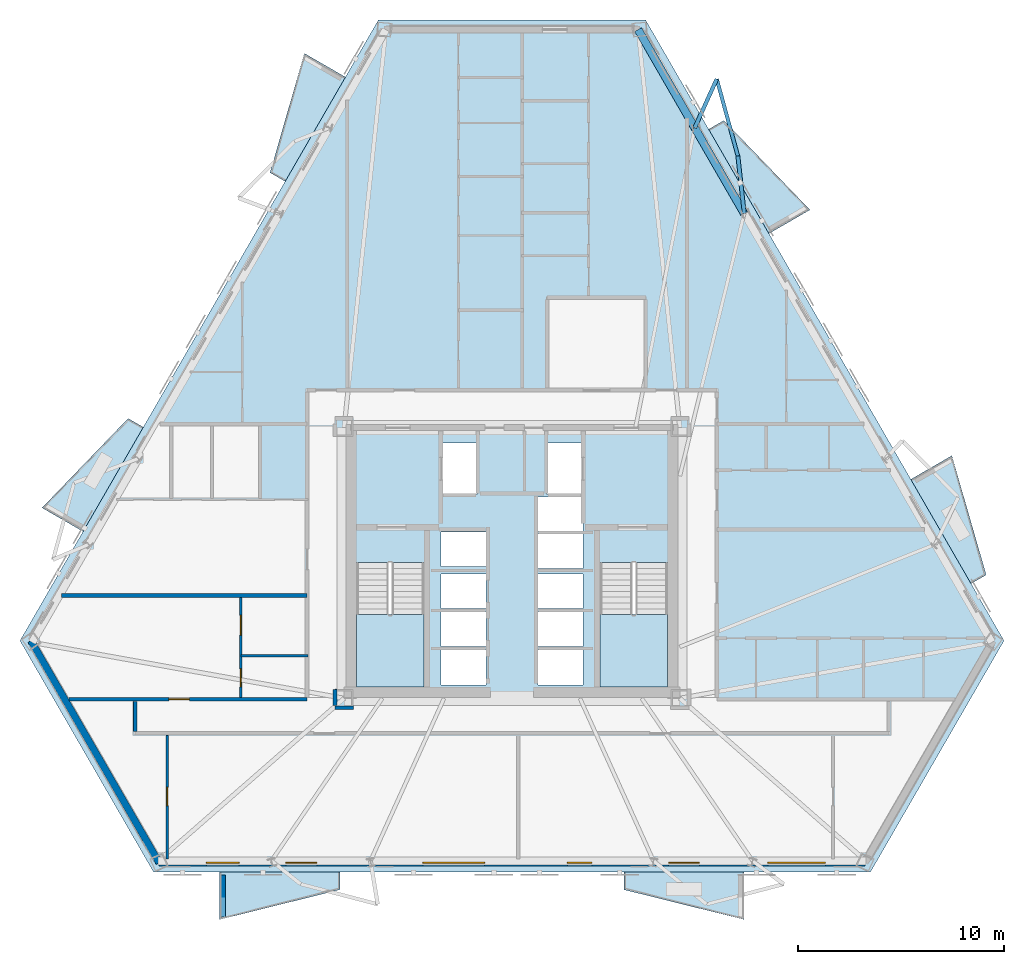
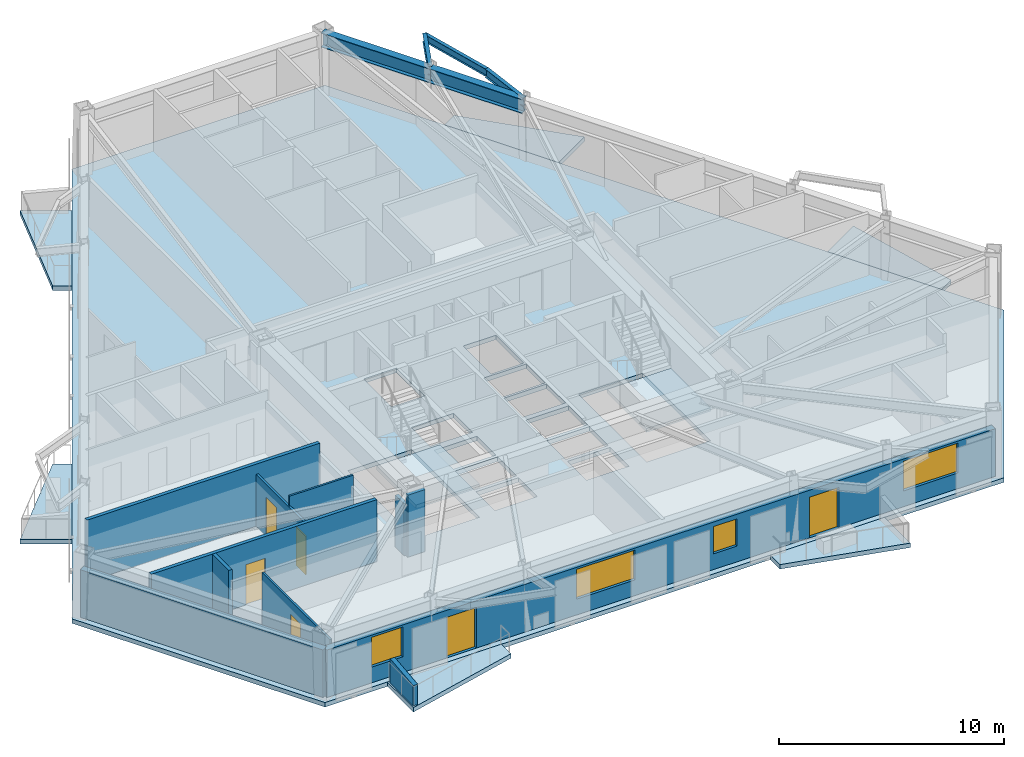
# One storey, part 2 of 11: 11 walls, 9 slabs, 6 doors, 5 beams, 4 windows, 10 openings, 2 elements without a shape of their own.
"""IFC4 building model written with IfcOpenShell, lengths in metres."""

from ifc_helpers import new_model, si_unit, direction, frame, frame_2d, origin, origin_2d, place, context, subcontext, project, spatial, polyline, rectangle, i_section, outline, extrude, material, layer, layer_set, material_profile, profile_set, type_object, element, fill, aggregate, save


model = new_model("IFC4")

# Units and contexts
model_context = context("Model", 3, precision=1e-05, world=origin(), true_north=direction((0.0, 1.0)))
body_context = subcontext(model_context, "Body", "Model", "MODEL_VIEW")
ifc_project = project(units=[si_unit("LENGTHUNIT", "METRE"), si_unit("AREAUNIT", "SQUARE_METRE"), si_unit("VOLUMEUNIT", "CUBIC_METRE"), si_unit("PLANEANGLEUNIT", "RADIAN"), si_unit("MASSUNIT", "GRAM", prefix="KILO")], contexts=[model_context])

# Site, building, storey
site_placement = place(None, origin())
site = spatial("IfcSite", under=ifc_project, at=site_placement, CompositionType="ELEMENT")
building_placement = place(site_placement, origin())
building = spatial("IfcBuilding", under=site, at=building_placement, Name="Oramaril Tower", CompositionType="ELEMENT")
storey_placement = place(building_placement, frame((0.0, 0.0, 89.699951171875)))
storey = spatial("IfcBuildingStorey", under=building, at=storey_placement, Name="L23", CompositionType="ELEMENT", Elevation=89.699951171875)

# Beams
ifc_material_1 = material(Name="Steel ASTM A572 Gr 50", Category="steel")
ifc_material_profile_1 = material_profile(ifc_material_1, i_section(OverallWidth=0.19091796875, OverallDepth=0.45703125, WebThickness=0.009033203125, FlangeThickness=0.014404296875, at=origin_2d()), Name="W18X50")
ifc_profile_set_1 = profile_set([ifc_material_profile_1], Name="Steel ASTM A572 Gr 50")
beam_type_1 = type_object("IfcBeamType", Name="BT-BB1", PredefinedType="BEAM", material=ifc_profile_set_1)
beam_1_placement = place(storey_placement, frame((48.778076171875, 34.545654296875, 3.131591796875), z_axis=(-0.110536358479, 0.993872081032, 0.0), x_axis=(-0.993872081032, -0.110536358479, 0.0)))
element("IfcBeam", 1, at=beam_1_placement, inside=storey, type_object=beam_type_1, Name="L23 Balcony Column-Framed Cantilever 04.1", PredefinedType="BEAM", context=body_context, shape_type="SweptSolid", body=[
    extrude(i_section(OverallWidth=0.19091796875, OverallDepth=0.45703125, WebThickness=0.009033203125, FlangeThickness=0.014404296875, at=origin_2d()), origin(), (0.0, 0.0, 1.0), 2.811767578125),
])
beam_2_placement = place(storey_placement, frame((46.373291015625, 38.711181640625, 3.131591796875), z_axis=(0.412994020721, 0.910733736527, 0.0), x_axis=(-0.910733736527, 0.412994020721, 0.0)))
element("IfcBeam", 2, at=beam_2_placement, inside=storey, type_object=beam_type_1, Name="L23 Balcony Column-Framed Cantilever 04.2", PredefinedType="BEAM", context=body_context, shape_type="SweptSolid", body=[
    extrude(i_section(OverallWidth=0.19091796875, OverallDepth=0.45703125, WebThickness=0.009033203125, FlangeThickness=0.014404296875, at=origin_2d()), origin(), (0.0, 0.0, 1.0), 2.5927734375),
])
ifc_material_2 = material(Name="Steel ASTM A572 Gr 50", Category="steel")
ifc_material_profile_2 = material_profile(ifc_material_2, i_section(OverallWidth=0.177978515625, OverallDepth=0.404052734375, WebThickness=0.007568359375, FlangeThickness=0.010986328125, at=origin_2d()), Name="W16X36")
ifc_profile_set_2 = profile_set([ifc_material_profile_2], Name="Steel ASTM A572 Gr 50")
beam_type_2 = type_object("IfcBeamType", Name="BT-SB1", PredefinedType="BEAM", material=ifc_profile_set_2)
beam_3_placement = place(storey_placement, frame((48.46728515625, 37.340087890625, 3.157958984375), z_axis=(-0.264382243015, 0.964417974521, 0.0), x_axis=(-0.964417974521, -0.264382243015, 0.0)))
element("IfcBeam", 3, at=beam_3_placement, inside=storey, type_object=beam_type_2, Name="L23 Balcony Edge Tie Beam 04", PredefinedType="BEAM", context=body_context, shape_type="SweptSolid", body=[
    extrude(i_section(OverallWidth=0.177978515625, OverallDepth=0.404052734375, WebThickness=0.007568359375, FlangeThickness=0.010986328125, at=origin_2d()), origin(), (0.0, 0.0, 1.0), 3.8701171875),
])
ifc_material_3 = material(Name="Steel ASTM A572 Gr 50", Category="steel")
ifc_material_profile_3 = material_profile(ifc_material_3, i_section(OverallWidth=0.381103515625, OverallDepth=0.77197265625, WebThickness=0.0166015625, FlangeThickness=0.027099609375, at=origin_2d()), Name="W30X173")
ifc_profile_set_3 = profile_set([ifc_material_profile_3], Name="Steel ASTM A572 Gr 50")
beam_type_3 = type_object("IfcBeamType", Name="BT-SP2", PredefinedType="SPANDREL", material=ifc_profile_set_3)
beam_4_placement = place(storey_placement, frame((48.778076171875, 34.545654296875, 2.97412109375), z_axis=(-0.499971436909, 0.866041894065, 0.0), x_axis=(-0.866041894065, -0.499971436909, 0.0)))
element("IfcBeam", 4, at=beam_4_placement, inside=storey, type_object=beam_type_3, Name="L23 Perimeter Spandrel 11", PredefinedType="SPANDREL", context=body_context, shape_type="SweptSolid", body=[
    extrude(i_section(OverallWidth=0.381103515625, OverallDepth=0.77197265625, WebThickness=0.0166015625, FlangeThickness=0.027099609375, at=origin_2d()), origin(), (0.0, 0.0, 1.0), 4.809814453125),
])
beam_5_placement = place(storey_placement, frame((46.373291015625, 38.711181640625, 2.97412109375), z_axis=(-0.500008230962, 0.866020651584, 0.0), x_axis=(-0.866020651584, -0.500008230962, 0.0)))
element("IfcBeam", 5, at=beam_5_placement, inside=storey, type_object=beam_type_3, Name="L23 Perimeter Spandrel 12", PredefinedType="SPANDREL", context=body_context, shape_type="SweptSolid", body=[
    extrude(i_section(OverallWidth=0.381103515625, OverallDepth=0.77197265625, WebThickness=0.0166015625, FlangeThickness=0.027099609375, at=origin_2d()), origin(), (0.0, 0.0, 1.0), 5.4970703125),
])

# Slabs
ifc_material_4 = material(Name="Concrete C40/50", Category="concrete")
ifc_layer_1 = layer(ifc_material_4, 0.199951171875)
ifc_layer_set_1 = layer_set([ifc_layer_1], Name="SLT-BAL20")
slab_type_1 = type_object("IfcSlabType", Name="SLT-BAL20", PredefinedType="FLOOR", material=ifc_layer_set_1)
slab_1_placement = place(storey_placement, frame((0.0, 0.0, -0.239990234375)))
element("IfcSlab", 6, at=slab_1_placement, inside=storey, type_object=slab_type_1, Name="L23 Cantilevered Balcony Slab L23-BAL-S1", PredefinedType="FLOOR", context=body_context, shape_type="SweptSolid", body=[
    extrude(outline(polyline([(23.297119140625, 2.5625), (29.147216796875, 2.5625), (29.147216796875, 1.710693359375), (23.297119140625, 0.260498046875), (23.297119140625, 2.5625)])), origin(), (0.0, 0.0, 1.0), 0.239990234375),
])
slab_2_placement = place(storey_placement, frame((0.0, 0.0, -0.239990234375)))
element("IfcSlab", 7, at=slab_2_placement, inside=storey, type_object=slab_type_1, Name="L23 Cantilevered Balcony Slab L23-BAL-NE2", PredefinedType="FLOOR", context=body_context, shape_type="SweptSolid", body=[
    extrude(outline(polyline([(49.973876953125, 33.5693359375), (47.048828125, 38.635498046875), (47.78662109375, 39.0615234375), (51.967529296875, 34.72021484375), (49.973876953125, 33.5693359375)])), origin(), (0.0, 0.0, 1.0), 0.239990234375),
])
slab_3_placement = place(storey_placement, frame((0.0, 0.0, -0.239990234375)))
element("IfcSlab", 8, at=slab_3_placement, inside=storey, type_object=slab_type_1, Name="L23 Cantilevered Balcony Slab L23-BAL-NW1", PredefinedType="FLOOR", context=body_context, shape_type="SweptSolid", body=[
    extrude(outline(polyline([(29.41357421875, 41.168701171875), (26.488525390625, 36.1025390625), (25.750732421875, 36.528564453125), (27.419921875, 42.319580078125), (29.41357421875, 41.168701171875)])), origin(), (0.0, 0.0, 1.0), 0.239990234375),
])
ifc_material_5 = material(Name="Concrete C50/60", Category="concrete")
ifc_layer_2 = layer(ifc_material_5, 0.239990234375)
ifc_layer_set_2 = layer_set([ifc_layer_2], Name="SLT-FLR24")
slab_type_2 = type_object("IfcSlabType", Name="SLT-FLR24", PredefinedType="FLOOR", material=ifc_layer_set_2)
slab_4_placement = place(storey_placement, frame((0.0, 0.0, -0.239990234375)))
element("IfcSlab", 9, at=slab_4_placement, inside=storey, type_object=slab_type_2, Name="L23 Structural Floor Slab", PredefinedType="FLOOR", context=body_context, shape_type="SweptSolid", body=[
    extrude(outline(polyline([(13.60888671875, 13.79833984375), (20.09716796875, 2.560546875), (54.90283203125, 2.560546875), (61.39111328125, 13.79833984375), (43.988037109375, 43.94091796875), (31.011962890625, 43.94091796875), (13.60888671875, 13.79833984375)]), holes=[polyline([(29.949951171875, 17.58935546875), (29.949951171875, 11.550048828125), (33.219970703125, 11.550048828125), (33.219970703125, 17.58935546875), (29.949951171875, 17.58935546875)]), polyline([(41.780029296875, 17.58935546875), (41.780029296875, 11.550048828125), (45.050048828125, 11.550048828125), (45.050048828125, 17.58935546875), (41.780029296875, 17.58935546875)]), polyline([(34.110107421875, 20.909912109375), (35.7900390625, 20.909912109375), (35.7900390625, 23.389892578125), (34.110107421875, 23.389892578125), (34.110107421875, 20.909912109375)]), polyline([(39.2099609375, 20.909912109375), (40.889892578125, 20.909912109375), (40.889892578125, 23.389892578125), (39.2099609375, 23.389892578125), (39.2099609375, 20.909912109375)]), polyline([(34.06005859375, 11.659912109375), (36.239990234375, 11.659912109375), (36.239990234375, 13.340087890625), (34.06005859375, 13.340087890625), (34.06005859375, 11.659912109375)]), polyline([(34.06005859375, 13.510009765625), (36.239990234375, 13.510009765625), (36.239990234375, 15.18994140625), (34.06005859375, 15.18994140625), (34.06005859375, 13.510009765625)]), polyline([(34.06005859375, 15.360107421875), (36.239990234375, 15.360107421875), (36.239990234375, 17.0400390625), (34.06005859375, 17.0400390625), (34.06005859375, 15.360107421875)]), polyline([(38.760009765625, 11.659912109375), (40.93994140625, 11.659912109375), (40.93994140625, 13.340087890625), (38.760009765625, 13.340087890625), (38.760009765625, 11.659912109375)]), polyline([(38.760009765625, 13.510009765625), (40.93994140625, 13.510009765625), (40.93994140625, 15.18994140625), (38.760009765625, 15.18994140625), (38.760009765625, 13.510009765625)]), polyline([(38.760009765625, 15.360107421875), (40.93994140625, 15.360107421875), (40.93994140625, 17.0400390625), (38.760009765625, 17.0400390625), (38.760009765625, 15.360107421875)]), polyline([(34.06005859375, 17.409912109375), (36.239990234375, 17.409912109375), (36.239990234375, 19.090087890625), (34.06005859375, 19.090087890625), (34.06005859375, 17.409912109375)]), polyline([(38.760009765625, 17.31005859375), (40.93994140625, 17.31005859375), (40.93994140625, 18.989990234375), (38.760009765625, 18.989990234375), (38.760009765625, 17.31005859375)]), polyline([(38.760009765625, 19.110107421875), (40.93994140625, 19.110107421875), (40.93994140625, 20.7900390625), (38.760009765625, 20.7900390625), (38.760009765625, 19.110107421875)])]), origin(), (0.0, 0.0, 1.0), 0.239990234375),
])

# Stair, slab
ifc_material_6 = material(Name="Concrete C50/60", Category="concrete")
stair_type = type_object("IfcStairType", Name="STT-DG-3600", PredefinedType="HALF_TURN_STAIR", material=ifc_material_6)
stair_1_placement = place(storey_placement, origin())
stair_1 = element("IfcStair", 10, at=stair_1_placement, inside=storey, type_object=stair_type, Name="L23 Protected PFP Exit Stair ST-1", PredefinedType="HALF_TURN_STAIR")
ifc_material_7 = material(Name="Concrete C50/60", Category="concrete")
ifc_layer_3 = layer(ifc_material_7, 0.199951171875)
ifc_layer_set_3 = layer_set([ifc_layer_3], Name="SLT-LND20")
slab_type_3 = type_object("IfcSlabType", Name="SLT-LND20", PredefinedType="LANDING", material=ifc_layer_set_3)
slab_5_placement = place(storey_placement, frame((0.0, 0.0, 1.60009765625)))
slab_5 = element("IfcSlab", 11, at=slab_5_placement, type_object=slab_type_3, Name="ST-1 landing 1", PredefinedType="LANDING", context=body_context, shape_type="SweptSolid", body=[
    extrude(outline(polyline([(29.949951171875, 15.070068359375), (29.949951171875, 11.550048828125), (33.219970703125, 11.550048828125), (33.219970703125, 15.070068359375), (29.949951171875, 15.070068359375)])), origin(), (0.0, 0.0, 1.0), 0.199951171875),
])
aggregate(stair_1, [slab_5])

stair_2_placement = place(storey_placement, origin())
stair_2 = element("IfcStair", 12, at=stair_2_placement, inside=storey, type_object=stair_type, Name="L23 Protected PFP Exit Stair ST-2", PredefinedType="HALF_TURN_STAIR")
slab_6_placement = place(storey_placement, frame((0.0, 0.0, 1.60009765625)))
slab_6 = element("IfcSlab", 13, at=slab_6_placement, type_object=slab_type_3, Name="ST-2 landing 1", PredefinedType="LANDING", context=body_context, shape_type="SweptSolid", body=[
    extrude(outline(polyline([(41.780029296875, 15.070068359375), (41.780029296875, 11.550048828125), (45.050048828125, 11.550048828125), (45.050048828125, 15.070068359375), (41.780029296875, 15.070068359375)])), origin(), (0.0, 0.0, 1.0), 0.199951171875),
])
aggregate(stair_2, [slab_6])

# Slabs
ifc_material_8 = material(Name="Concrete C40/50", Category="concrete")
ifc_layer_4 = layer(ifc_material_8, 0.18994140625)
ifc_layer_set_4 = layer_set([ifc_layer_4], Name="SLT-PLN19")
slab_type_4 = type_object("IfcSlabType", Name="SLT-PLN19", PredefinedType="FLOOR", material=ifc_layer_set_4)
slab_7_placement = place(storey_placement, frame((0.0, 0.0, -0.239990234375)))
element("IfcSlab", 14, at=slab_7_placement, inside=storey, type_object=slab_type_4, Name="L23 Tree Planter Balcony Slab L23-BAL-S2", PredefinedType="FLOOR", context=body_context, shape_type="SweptSolid", body=[
    extrude(outline(polyline([(42.927978515625, 2.5625), (48.77783203125, 2.5625), (48.77783203125, 0.260498046875), (42.927978515625, 1.710693359375), (42.927978515625, 2.5625)])), origin(), (0.0, 0.0, 1.0), 0.239990234375),
])
slab_8_placement = place(storey_placement, frame((0.0, 0.0, -0.239990234375)))
element("IfcSlab", 15, at=slab_8_placement, inside=storey, type_object=slab_type_4, Name="L23 Tree Planter Balcony Slab L23-BAL-NE1", PredefinedType="FLOOR", context=body_context, shape_type="SweptSolid", body=[
    extrude(outline(polyline([(59.789306640625, 16.568603515625), (56.8642578125, 21.634765625), (58.85791015625, 22.785888671875), (60.527099609375, 16.99462890625), (59.789306640625, 16.568603515625)])), origin(), (0.0, 0.0, 1.0), 0.239990234375),
])
slab_9_placement = place(storey_placement, frame((0.0, 0.0, -0.239990234375)))
element("IfcSlab", 16, at=slab_9_placement, inside=storey, type_object=slab_type_4, Name="L23 Tree Planter Balcony Slab L23-BAL-NW2", PredefinedType="FLOOR", context=body_context, shape_type="SweptSolid", body=[
    extrude(outline(polyline([(19.59814453125, 24.16796875), (16.673095703125, 19.101806640625), (14.6796875, 20.252685546875), (18.8603515625, 24.593994140625), (19.59814453125, 24.16796875)])), origin(), (0.0, 0.0, 1.0), 0.239990234375),
])

# Wall
ifc_material_9 = material(Name="Warm Cream Limestone", Category="masonry")
ifc_layer_5 = layer(ifc_material_9, 0.340087890625)
ifc_layer_set_5 = layer_set([ifc_layer_5], Name="WT-EXT34")
wall_type_1 = type_object("IfcWallType", Name="WT-EXT34", PredefinedType="SOLIDWALL", material=ifc_layer_set_5)
wall_1_placement = place(storey_placement, frame((14.14013671875, 13.79833984375, 0.0), z_axis=(0.0, 0.0, 1.0), x_axis=(0.50000434055, -0.866022897752, 0.0)))
element("IfcWall", 17, at=wall_1_placement, inside=storey, type_object=wall_type_1, Name="L23 Tower Limestone Facade Wall 1M", PredefinedType="SOLIDWALL", context=body_context, shape_type="SweptSolid", body=[
    extrude(rectangle(XDim=12.4453125, YDim=0.340087890625, at=frame_2d((6.22265625, 0.0))), origin(), (0.0, 0.0, 1.0), 2.578125),
])

# Wall, openings, doors, windows
wall_2_placement = place(storey_placement, frame((20.36279296875, 3.0205078125, 0.0), z_axis=(0.0, 0.0, 1.0), x_axis=(1.0, 0.0, 0.0)))
wall_2 = element("IfcWall", 18, at=wall_2_placement, inside=storey, type_object=wall_type_1, Name="L23 Tower Limestone Facade Wall 2M", PredefinedType="SOLIDWALL", context=body_context, shape_type="SweptSolid", body=[
    extrude(rectangle(XDim=34.2744140625, YDim=0.340087890625, at=frame_2d((17.13720703125, 0.0))), origin(), (0.0, 0.0, 1.0), 2.578125),
])
opening_1_placement = place(wall_2_placement, frame((6.159423828125, 0.0, 0.0)))
opening_1 = element("IfcOpeningElement", 19, at=opening_1_placement, cuts=wall_2, Name="Opening D-L23-BAL-S1", PredefinedType="OPENING", context=body_context, shape_type="SweptSolid", body=[
    extrude(rectangle(XDim=1.5, YDim=2.199951171875, at=frame_2d((0.75, 1.10009765625))), frame((0.0, 0.169921875, 0.0), z_axis=(0.0, -1.0, 0.0), x_axis=(1.0, 0.0, 0.0)), (0.0, 0.0, 1.0), 0.340087890625),
])
opening_2_placement = place(wall_2_placement, frame((24.740234375, 0.0, 0.0)))
opening_2 = element("IfcOpeningElement", 20, at=opening_2_placement, cuts=wall_2, Name="Opening D-L23-BAL-S2", PredefinedType="OPENING", context=body_context, shape_type="SweptSolid", body=[
    extrude(rectangle(XDim=1.5, YDim=2.199951171875, at=frame_2d((0.75, 1.10009765625))), frame((0.0, 0.169921875, 0.0), z_axis=(0.0, -1.0, 0.0), x_axis=(1.0, 0.0, 0.0)), (0.0, 0.0, 1.0), 0.340087890625),
])
opening_3_placement = place(wall_2_placement, frame((2.29248046875, 0.0, 0.85009765625)))
opening_3 = element("IfcOpeningElement", 21, at=opening_3_placement, cuts=wall_2, Name="Opening WN-07", PredefinedType="OPENING", context=body_context, shape_type="SweptSolid", body=[
    extrude(rectangle(XDim=1.60009765625, YDim=1.617919921875, at=frame_2d((0.800048828125, 0.80908203125))), frame((0.0, 0.169921875, 0.0), z_axis=(0.0, -1.0, 0.0), x_axis=(1.0, 0.0, 0.0)), (0.0, 0.0, 1.0), 0.340087890625),
])
opening_4_placement = place(wall_2_placement, frame((12.8046875, 0.0, 0.85009765625)))
opening_4 = element("IfcOpeningElement", 22, at=opening_4_placement, cuts=wall_2, Name="Opening WN-10", PredefinedType="OPENING", context=body_context, shape_type="SweptSolid", body=[
    extrude(rectangle(XDim=3.0, YDim=1.617919921875, at=frame_2d((1.5, 0.80908203125))), frame((0.0, 0.169921875, 0.0), z_axis=(0.0, -1.0, 0.0), x_axis=(1.0, 0.0, 0.0)), (0.0, 0.0, 1.0), 0.340087890625),
])
opening_5_placement = place(wall_2_placement, frame((19.820068359375, 0.0, 0.85009765625)))
opening_5 = element("IfcOpeningElement", 23, at=opening_5_placement, cuts=wall_2, Name="Opening WN-09", PredefinedType="OPENING", context=body_context, shape_type="SweptSolid", body=[
    extrude(rectangle(XDim=1.199951171875, YDim=1.47998046875, at=frame_2d((0.60009765625, 0.739990234375))), frame((0.0, 0.169921875, 0.0), z_axis=(0.0, -1.0, 0.0), x_axis=(1.0, 0.0, 0.0)), (0.0, 0.0, 1.0), 0.340087890625),
])
opening_6_placement = place(wall_2_placement, frame((29.55712890625, 0.0, 0.85009765625)))
opening_6 = element("IfcOpeningElement", 24, at=opening_6_placement, cuts=wall_2, Name="Opening WN-01", PredefinedType="OPENING", context=body_context, shape_type="SweptSolid", body=[
    extrude(rectangle(XDim=2.800048828125, YDim=1.617919921875, at=frame_2d((1.39990234375, 0.80908203125))), frame((0.0, 0.169921875, 0.0), z_axis=(0.0, -1.0, 0.0), x_axis=(1.0, 0.0, 0.0)), (0.0, 0.0, 1.0), 0.340087890625),
])
ifc_material_10 = material(Name="Anodised Aluminium 6063-T6", Category="aluminium")
door_type_1 = type_object("IfcDoorType", Name="DT-BAL", OperationType="NOTDEFINED", PredefinedType="DOOR", material=ifc_material_10)
door_1_placement = place(opening_1_placement, origin())
door_1 = element("IfcDoor", 25, at=door_1_placement, inside=storey, type_object=door_type_1, Name="L23 Balcony Glazed Door L23-BAL-S1", OperationType="SINGLE_SWING_RIGHT", OverallHeight=2.199951171875, OverallWidth=1.5, PredefinedType="DOOR", context=body_context, shape_type="SweptSolid", body=[
    extrude(rectangle(XDim=1.5, YDim=2.199951171875, at=frame_2d((0.75, 1.10009765625))), frame((0.0, 0.02490234375, 0.0), z_axis=(0.0, -1.0, 0.0), x_axis=(1.0, 0.0, 0.0)), (0.0, 0.0, 1.0), 0.050048828125),
])
fill(opening_1, door_1)
door_2_placement = place(opening_2_placement, origin())
door_2 = element("IfcDoor", 26, at=door_2_placement, inside=storey, type_object=door_type_1, Name="L23 Balcony Glazed Door L23-BAL-S2", OperationType="SINGLE_SWING_LEFT", OverallHeight=2.199951171875, OverallWidth=1.5, PredefinedType="DOOR", context=body_context, shape_type="SweptSolid", body=[
    extrude(rectangle(XDim=1.5, YDim=2.199951171875, at=frame_2d((0.75, 1.10009765625))), frame((0.0, 0.02490234375, 0.0), z_axis=(0.0, -1.0, 0.0), x_axis=(1.0, 0.0, 0.0)), (0.0, 0.0, 1.0), 0.050048828125),
])
fill(opening_2, door_2)
ifc_material_11 = material(Name="Coastal Low-E Insulated Glass", Category="glass")
window_type_1 = type_object("IfcWindowType", Name="WNT-01", PartitioningType="SINGLE_PANEL", PredefinedType="WINDOW", material=ifc_material_11)
window_1_placement = place(opening_6_placement, origin())
window_1 = element("IfcWindow", 27, at=window_1_placement, inside=storey, type_object=window_type_1, Name="L23 Chicago Bay Window WN-01", OverallHeight=1.617919921875, OverallWidth=2.800048828125, PartitioningType="SINGLE_PANEL", PredefinedType="WINDOW", context=body_context, shape_type="SweptSolid", body=[
    extrude(rectangle(XDim=2.800048828125, YDim=1.617919921875, at=frame_2d((1.39990234375, 0.80908203125))), frame((0.0, 0.030029296875, 0.0), z_axis=(0.0, -1.0, 0.0), x_axis=(1.0, 0.0, 0.0)), (0.0, 0.0, 1.0), 0.06005859375),
])
fill(opening_6, window_1)
ifc_material_12 = material(Name="Coastal Low-E Insulated Glass", Category="glass")
window_type_2 = type_object("IfcWindowType", Name="WNT-07", PartitioningType="SINGLE_PANEL", PredefinedType="WINDOW", material=ifc_material_12)
window_2_placement = place(opening_3_placement, origin())
window_2 = element("IfcWindow", 28, at=window_2_placement, inside=storey, type_object=window_type_2, Name="L23 Chicago Bay Window WN-07", OverallHeight=1.617919921875, OverallWidth=1.60009765625, PartitioningType="SINGLE_PANEL", PredefinedType="WINDOW", context=body_context, shape_type="SweptSolid", body=[
    extrude(rectangle(XDim=1.60009765625, YDim=1.617919921875, at=frame_2d((0.800048828125, 0.80908203125))), frame((0.0, 0.030029296875, 0.0), z_axis=(0.0, -1.0, 0.0), x_axis=(1.0, 0.0, 0.0)), (0.0, 0.0, 1.0), 0.06005859375),
])
fill(opening_3, window_2)
ifc_material_13 = material(Name="Coastal Low-E Insulated Glass", Category="glass")
window_type_3 = type_object("IfcWindowType", Name="WNT-09", PartitioningType="SINGLE_PANEL", PredefinedType="WINDOW", material=ifc_material_13)
window_3_placement = place(opening_5_placement, origin())
window_3 = element("IfcWindow", 29, at=window_3_placement, inside=storey, type_object=window_type_3, Name="L23 Chicago Bay Window WN-09", OverallHeight=1.47998046875, OverallWidth=1.199951171875, PartitioningType="SINGLE_PANEL", PredefinedType="WINDOW", context=body_context, shape_type="SweptSolid", body=[
    extrude(rectangle(XDim=1.199951171875, YDim=1.47998046875, at=frame_2d((0.60009765625, 0.739990234375))), frame((0.0, 0.030029296875, 0.0), z_axis=(0.0, -1.0, 0.0), x_axis=(1.0, 0.0, 0.0)), (0.0, 0.0, 1.0), 0.06005859375),
])
fill(opening_5, window_3)
ifc_material_14 = material(Name="Coastal Low-E Insulated Glass", Category="glass")
window_type_4 = type_object("IfcWindowType", Name="WNT-10", PartitioningType="SINGLE_PANEL", PredefinedType="WINDOW", material=ifc_material_14)
window_4_placement = place(opening_4_placement, origin())
window_4 = element("IfcWindow", 30, at=window_4_placement, inside=storey, type_object=window_type_4, Name="L23 Chicago Bay Window WN-10", OverallHeight=1.617919921875, OverallWidth=3.0, PartitioningType="SINGLE_PANEL", PredefinedType="WINDOW", context=body_context, shape_type="SweptSolid", body=[
    extrude(rectangle(XDim=3.0, YDim=1.617919921875, at=frame_2d((1.5, 0.80908203125))), frame((0.0, 0.030029296875, 0.0), z_axis=(0.0, -1.0, 0.0), x_axis=(1.0, 0.0, 0.0)), (0.0, 0.0, 1.0), 0.06005859375),
])
fill(opening_4, window_4)

# Walls
ifc_material_15 = material(Name="Concrete C40/50", Category="concrete")
ifc_layer_6 = layer(ifc_material_15, 0.22998046875)
ifc_layer_set_6 = layer_set([ifc_layer_6], Name="WT-PRP23")
wall_type_2 = type_object("IfcWallType", Name="WT-PRP23", PredefinedType="PARAPET", material=ifc_layer_set_6)
wall_3_placement = place(storey_placement, frame((23.47705078125, 2.422607421875, 0.0), z_axis=(0.0, 0.0, 1.0), x_axis=(0.0, -1.0, 0.0)))
element("IfcWall", 31, at=wall_3_placement, inside=storey, type_object=wall_type_2, Name="L23 Trapezoidal Balcony Frame Cheek L23-BAL-S1-L", PredefinedType="PARAPET", context=body_context, shape_type="SweptSolid", body=[
    extrude(outline(polyline([(0.0, 0.0), (2.0419921875, 0.0), (2.0419921875, 1.10009765625), (0.0, 1.320068359375), (0.0, 0.0)])), frame((0.0, 0.114990234375, 0.0), z_axis=(0.0, -1.0, 0.0), x_axis=(1.0, 0.0, 0.0)), (0.0, 0.0, 1.0), 0.22998046875),
])
ifc_material_16 = material(Name="Acoustic Gypsum Board Partition")
ifc_layer_7 = layer(ifc_material_16, 0.10009765625)
ifc_layer_set_7 = layer_set([ifc_layer_7], Name="WT-PT10")
wall_type_3 = type_object("IfcWallType", Name="WT-PT10", PredefinedType="PARTITIONING", material=ifc_layer_set_7)
wall_4_placement = place(storey_placement, frame((24.330078125, 13.070068359375, 0.0), z_axis=(0.0, 0.0, 1.0), x_axis=(1.0, 0.0, 0.0)))
element("IfcWall", 32, at=wall_4_placement, inside=storey, type_object=wall_type_3, Name="L23 Interior Partition PT-10", PredefinedType="PARTITIONING", context=body_context, shape_type="SweptSolid", body=[
    extrude(rectangle(XDim=3.27001953125, YDim=0.10009765625, at=frame_2d((1.635009765625, 0.0))), origin(), (0.0, 0.0, 1.0), 3.360107421875),
])

# Wall, opening, door
wall_5_placement = place(storey_placement, frame((20.760009765625, 3.194580078125, 0.0), z_axis=(0.0, 0.0, 1.0), x_axis=(0.0, 1.0, 0.0)))
wall_5 = element("IfcWall", 33, at=wall_5_placement, inside=storey, type_object=wall_type_3, Name="L23 Interior Partition PT-10", PredefinedType="PARTITIONING", context=body_context, shape_type="SweptSolid", body=[
    extrude(rectangle(XDim=6.011474609375, YDim=0.10009765625, at=frame_2d((3.005859375, 0.0))), origin(), (0.0, 0.0, 1.0), 2.81396484375),
])
opening_7_placement = place(wall_5_placement, frame((2.6005859375, 0.0, 0.0)))
opening_7 = element("IfcOpeningElement", 34, at=opening_7_placement, cuts=wall_5, Name="Opening D-L23-20", PredefinedType="OPENING", context=body_context, shape_type="SweptSolid", body=[
    extrude(rectangle(XDim=0.8798828125, YDim=2.080078125, at=frame_2d((0.43994140625, 1.0400390625))), frame((0.0, 0.050048828125, 0.0), z_axis=(0.0, -1.0, 0.0), x_axis=(1.0, 0.0, 0.0)), (0.0, 0.0, 1.0), 0.10009765625),
])
ifc_material_17 = material(Name="FSC Brazilian Freijo Hardwood", Category="wood")
door_type_2 = type_object("IfcDoorType", Name="DT-BATH", OperationType="NOTDEFINED", PredefinedType="DOOR", material=ifc_material_17)
door_3_placement = place(opening_7_placement, origin())
door_3 = element("IfcDoor", 35, at=door_3_placement, inside=storey, type_object=door_type_2, Name="L23 Flat L23-U1 Bathroom Door D-L23-20", OperationType="SINGLE_SWING_RIGHT", OverallHeight=2.080078125, OverallWidth=0.8798828125, PredefinedType="DOOR", context=body_context, shape_type="SweptSolid", body=[
    extrude(rectangle(XDim=0.8798828125, YDim=2.080078125, at=frame_2d((0.43994140625, 1.0400390625))), frame((0.0, 0.02490234375, 0.0), z_axis=(0.0, -1.0, 0.0), x_axis=(1.0, 0.0, 0.0)), (0.0, 0.0, 1.0), 0.050048828125),
])
fill(opening_7, door_3)

# Wall, openings, doors
ifc_material_18 = material(Name="Acoustic Gypsum Board Partition")
ifc_layer_8 = layer(ifc_material_18, 0.1201171875)
ifc_layer_set_8 = layer_set([ifc_layer_8], Name="WT-PT12")
wall_type_4 = type_object("IfcWallType", Name="WT-PT12", PredefinedType="PARTITIONING", material=ifc_layer_set_8)
wall_6_placement = place(storey_placement, frame((24.330078125, 11.0439453125, 0.0), z_axis=(0.0, 0.0, 1.0), x_axis=(0.0, 1.0, 0.0)))
wall_6 = element("IfcWall", 36, at=wall_6_placement, inside=storey, type_object=wall_type_4, Name="L23 Interior Partition PT-12", PredefinedType="PARTITIONING", context=body_context, shape_type="SweptSolid", body=[
    extrude(rectangle(XDim=4.862060546875, YDim=0.1201171875, at=frame_2d((2.43115234375, 0.0))), origin(), (0.0, 0.0, 1.0), 2.81396484375),
])
opening_8_placement = place(wall_6_placement, frame((0.5107421875, 0.0, 0.0)))
opening_8 = element("IfcOpeningElement", 37, at=opening_8_placement, cuts=wall_6, Name="Opening D-L23-21", PredefinedType="OPENING", context=body_context, shape_type="SweptSolid", body=[
    extrude(rectangle(XDim=0.8798828125, YDim=2.080078125, at=frame_2d((0.43994140625, 1.0400390625))), frame((0.0, 0.06005859375, 0.0), z_axis=(0.0, -1.0, 0.0), x_axis=(1.0, 0.0, 0.0)), (0.0, 0.0, 1.0), 0.1201171875),
])
opening_9_placement = place(wall_6_placement, frame((3.03076171875, 0.0, 0.0)))
opening_9 = element("IfcOpeningElement", 38, at=opening_9_placement, cuts=wall_6, Name="Opening D-L23-22", PredefinedType="OPENING", context=body_context, shape_type="SweptSolid", body=[
    extrude(rectangle(XDim=0.949951171875, YDim=2.10009765625, at=frame_2d((0.47509765625, 1.050048828125))), frame((0.0, 0.06005859375, 0.0), z_axis=(0.0, -1.0, 0.0), x_axis=(1.0, 0.0, 0.0)), (0.0, 0.0, 1.0), 0.1201171875),
])
door_4_placement = place(opening_8_placement, origin())
door_4 = element("IfcDoor", 39, at=door_4_placement, inside=storey, type_object=door_type_2, Name="L23 Flat L23-U3 Bathroom Door D-L23-21", OperationType="SINGLE_SWING_LEFT", OverallHeight=2.080078125, OverallWidth=0.8798828125, PredefinedType="DOOR", context=body_context, shape_type="SweptSolid", body=[
    extrude(rectangle(XDim=0.8798828125, YDim=2.080078125, at=frame_2d((0.43994140625, 1.0400390625))), frame((0.0, 0.02490234375, 0.0), z_axis=(0.0, -1.0, 0.0), x_axis=(1.0, 0.0, 0.0)), (0.0, 0.0, 1.0), 0.050048828125),
])
fill(opening_8, door_4)
ifc_material_19 = material(Name="FSC Brazilian Freijo Hardwood", Category="wood")
door_type_3 = type_object("IfcDoorType", Name="DT-STDY", OperationType="NOTDEFINED", PredefinedType="DOOR", material=ifc_material_19)
door_5_placement = place(opening_9_placement, origin())
door_5 = element("IfcDoor", 40, at=door_5_placement, inside=storey, type_object=door_type_3, Name="L23 Flat L23-U3 Kitchen Door D-L23-22", OperationType="SINGLE_SWING_RIGHT", OverallHeight=2.10009765625, OverallWidth=0.949951171875, PredefinedType="DOOR", context=body_context, shape_type="SweptSolid", body=[
    extrude(rectangle(XDim=0.949951171875, YDim=2.10009765625, at=frame_2d((0.47509765625, 1.050048828125))), frame((0.0, 0.02490234375, 0.0), z_axis=(0.0, -1.0, 0.0), x_axis=(1.0, 0.0, 0.0)), (0.0, 0.0, 1.0), 0.050048828125),
])
fill(opening_9, door_5)

# Wall
ifc_material_20 = material(Name="Autoclaved Cellular Concrete Block", Category="concrete")
ifc_layer_9 = layer(ifc_material_20, 0.179931640625)
ifc_layer_set_9 = layer_set([ifc_layer_9], Name="WT-PT18")
wall_type_5 = type_object("IfcWallType", Name="WT-PT18", PredefinedType="PARTITIONING", material=ifc_layer_set_9)
wall_7_placement = place(storey_placement, frame((28.905029296875, 10.550048828125, 0.0), z_axis=(0.0, 0.0, 1.0), x_axis=(1.0, 0.0, 0.0)))
element("IfcWall", 41, at=wall_7_placement, inside=storey, type_object=wall_type_5, Name="L23 Interior Partition PT-18", PredefinedType="PARTITIONING", context=body_context, shape_type="SweptSolid", body=[
    extrude(rectangle(XDim=0.889892578125, YDim=0.179931640625, at=frame_2d((0.44482421875, 0.0))), origin(), (0.0, 0.0, 1.0), 3.360107421875),
])

# Wall, opening, door
wall_8_placement = place(storey_placement, frame((15.985595703125, 10.949951171875, 0.0), z_axis=(0.0, 0.0, 1.0), x_axis=(1.0, 0.0, 0.0)))
wall_8 = element("IfcWall", 42, at=wall_8_placement, inside=storey, type_object=wall_type_5, Name="L23 Interior Partition PT-18", PredefinedType="PARTITIONING", context=body_context, shape_type="SweptSolid", body=[
    extrude(rectangle(XDim=11.564453125, YDim=0.179931640625, at=frame_2d((5.7822265625, 0.0))), origin(), (0.0, 0.0, 1.0), 3.360107421875),
])
opening_10_placement = place(wall_8_placement, frame((4.851318359375, 0.0, 0.0)))
opening_10 = element("IfcOpeningElement", 43, at=opening_10_placement, cuts=wall_8, Name="Opening D-L23-03", PredefinedType="OPENING", context=body_context, shape_type="SweptSolid", body=[
    extrude(rectangle(XDim=1.0, YDim=2.179931640625, at=frame_2d((0.5, 1.08984375))), frame((0.0, 0.08984375, 0.0), z_axis=(0.0, -1.0, 0.0), x_axis=(1.0, 0.0, 0.0)), (0.0, 0.0, 1.0), 0.179931640625),
])
ifc_material_21 = material(Name="FSC Brazilian Freijo Hardwood", Category="wood")
door_type_4 = type_object("IfcDoorType", Name="DT-APT", OperationType="NOTDEFINED", PredefinedType="DOOR", material=ifc_material_21)
door_6_placement = place(opening_10_placement, origin())
door_6 = element("IfcDoor", 44, at=door_6_placement, inside=storey, type_object=door_type_4, Name="L23 Flat L23-U3 Studio Apartment Door D-L23-03", OperationType="SINGLE_SWING_LEFT", OverallHeight=2.179931640625, OverallWidth=1.0, PredefinedType="DOOR", context=body_context, shape_type="SweptSolid", body=[
    extrude(rectangle(XDim=1.0, YDim=2.179931640625, at=frame_2d((0.5, 1.08984375))), frame((0.0, 0.02490234375, 0.0), z_axis=(0.0, -1.0, 0.0), x_axis=(1.0, 0.0, 0.0)), (0.0, 0.0, 1.0), 0.050048828125),
])
fill(opening_10, door_6)

# Walls
wall_9_placement = place(storey_placement, frame((15.6123046875, 16.0, 0.0), z_axis=(0.0, 0.0, 1.0), x_axis=(1.0, 0.0, 0.0)))
element("IfcWall", 45, at=wall_9_placement, inside=storey, type_object=wall_type_5, Name="L23 Interior Partition PT-18", PredefinedType="PARTITIONING", context=body_context, shape_type="SweptSolid", body=[
    extrude(rectangle(XDim=11.937744140625, YDim=0.179931640625, at=frame_2d((5.96875, 0.0))), origin(), (0.0, 0.0, 1.0), 3.360107421875),
])
wall_10_placement = place(storey_placement, frame((19.199951171875, 9.39404296875, 0.0), z_axis=(0.0, 0.0, 1.0), x_axis=(0.0, 1.0, 0.0)))
element("IfcWall", 46, at=wall_10_placement, inside=storey, type_object=wall_type_5, Name="L23 Interior Partition PT-18", PredefinedType="PARTITIONING", context=body_context, shape_type="SweptSolid", body=[
    extrude(rectangle(XDim=1.4619140625, YDim=0.179931640625, at=frame_2d((0.73095703125, 0.0))), origin(), (0.0, 0.0, 1.0), 3.360107421875),
])
wall_11_placement = place(storey_placement, frame((28.909912109375, 10.64404296875, 0.0), z_axis=(0.0, 0.0, 1.0), x_axis=(0.0, 1.0, 0.0)))
element("IfcWall", 47, at=wall_11_placement, inside=storey, type_object=wall_type_5, Name="L23 Interior Partition PT-18", PredefinedType="PARTITIONING", context=body_context, shape_type="SweptSolid", body=[
    extrude(rectangle(XDim=0.7958984375, YDim=0.179931640625, at=frame_2d((0.39794921875, 0.0))), origin(), (0.0, 0.0, 1.0), 2.81396484375),
])

save(model, "model.ifc")
